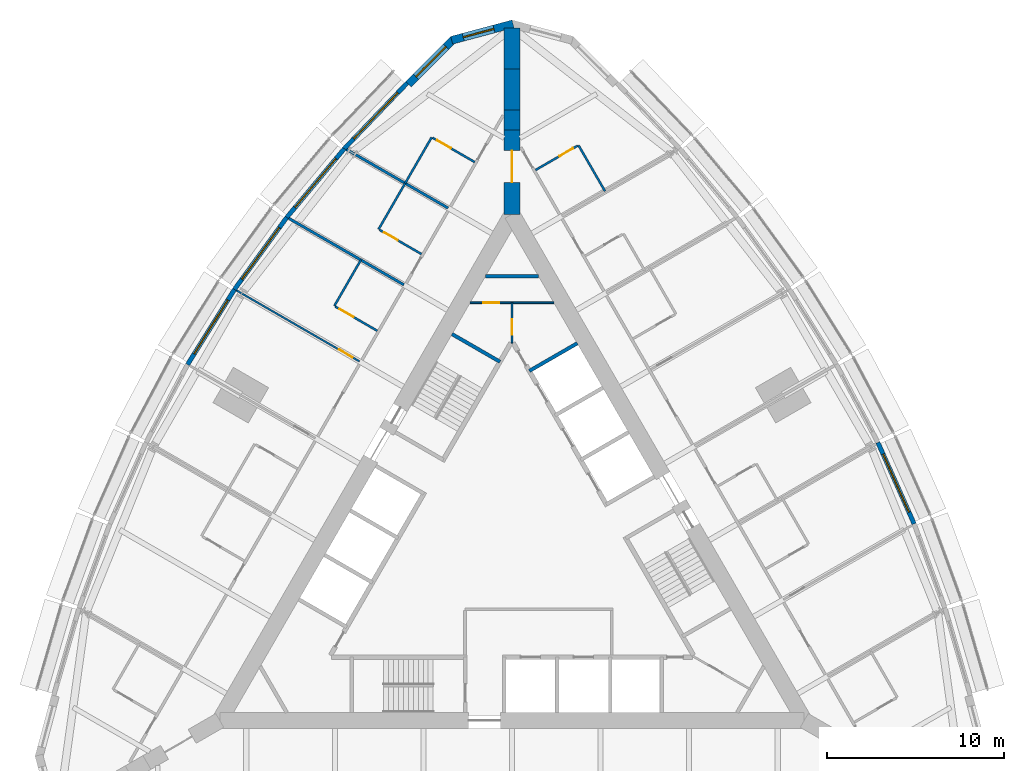
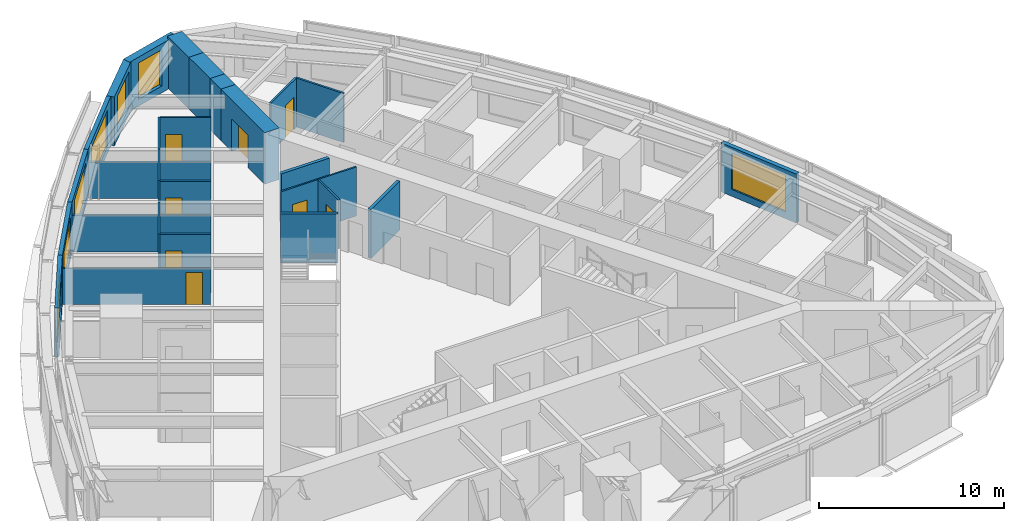
# One storey, part 12 of 14: 27 walls, 8 doors, 7 windows, 15 openings.
"""IFC4 building model written with IfcOpenShell, lengths in metres."""

from ifc_helpers import new_model, si_unit, direction, frame, frame_2d, origin, place, context, subcontext, project, spatial, polyline, rectangle, outline, extrude, material, layer, layer_set, type_object, element, fill, save


model = new_model("IFC4")

# Units and contexts
model_context = context("Model", 3, precision=1e-05, world=origin(), true_north=direction((0.0, 1.0)))
body_context = subcontext(model_context, "Body", "Model", "MODEL_VIEW")
ifc_project = project(units=[si_unit("LENGTHUNIT", "METRE"), si_unit("AREAUNIT", "SQUARE_METRE"), si_unit("VOLUMEUNIT", "CUBIC_METRE"), si_unit("PLANEANGLEUNIT", "RADIAN"), si_unit("MASSUNIT", "GRAM", prefix="KILO")], contexts=[model_context])

# Site, building, storey
site_placement = place(None, origin())
site = spatial("IfcSite", under=ifc_project, at=site_placement, CompositionType="ELEMENT")
building_placement = place(site_placement, origin())
building = spatial("IfcBuilding", under=site, at=building_placement, Name="Trikona Tower", CompositionType="ELEMENT")
storey_placement = place(building_placement, frame((0.0, 0.0, 148.699951171875)))
storey = spatial("IfcBuildingStorey", under=building, at=storey_placement, Name="L39", CompositionType="ELEMENT", Elevation=148.699951171875)

# Wall
ifc_material_1 = material(Name="Metal stud and cement board", Category="gypsum")
ifc_layer_1 = layer(ifc_material_1, 0.1201171875)
ifc_layer_set_1 = layer_set([ifc_layer_1], Name="Bathroom wall 120")
wall_type_1 = type_object("IfcWallType", Name="Bathroom wall 120", PredefinedType="PLUMBINGWALL", material=ifc_layer_set_1)
wall_1_placement = place(storey_placement, frame((5.25341796875, 20.353515625, 0.0), z_axis=(0.0, 0.0, 1.0), x_axis=(-0.499990139034, 0.866031096941, 0.0)))
element("IfcWall", 1, at=wall_1_placement, inside=storey, type_object=wall_type_1, Name="Bathroom wall 3912", PredefinedType="PLUMBINGWALL", context=body_context, shape_type="SweptSolid", body=[
    extrude(rectangle(XDim=3.0, YDim=0.1201171875, at=frame_2d((1.5, 0.0))), origin(), (0.0, 0.0, 1.0), 3.235107421875),
])

# Wall, opening, door
wall_2_placement = place(storey_placement, frame((1.32861328125, 21.551513671875, 0.0), z_axis=(0.0, 0.0, 1.0), x_axis=(0.865997131366, 0.500048966069, 0.0)))
wall_2 = element("IfcWall", 2, at=wall_2_placement, inside=storey, type_object=wall_type_1, Name="Bathroom wall 3912", PredefinedType="PLUMBINGWALL", context=body_context, shape_type="SweptSolid", body=[
    extrude(rectangle(XDim=2.739990234375, YDim=0.1201171875, at=frame_2d((1.3701171875, 0.0))), origin(), (0.0, 0.0, 1.0), 3.235107421875),
])
opening_1_placement = place(wall_2_placement, frame((1.550048828125, 0.0, 0.0)))
opening_1 = element("IfcOpeningElement", 3, at=opening_1_placement, cuts=wall_2, Name="Opening D2", PredefinedType="OPENING", context=body_context, shape_type="SweptSolid", body=[
    extrude(rectangle(XDim=0.89990234375, YDim=2.1298828125, at=frame_2d((0.449951171875, 1.06494140625))), frame((0.0, 0.070068359375, 0.0), z_axis=(0.0, -1.0, 0.0), x_axis=(1.0, 0.0, 0.0)), (0.0, 0.0, 1.0), 0.14013671875),
])
ifc_material_2 = material(Name="Steel door frame with solid-core timber leaf", Category="steel")
door_type_1 = type_object("IfcDoorType", Name="Bathroom door 900x2130", OperationType="SLIDING_TO_LEFT", PredefinedType="DOOR", material=ifc_material_2)
door_1_placement = place(opening_1_placement, origin())
door_1 = element("IfcDoor", 4, at=door_1_placement, inside=storey, type_object=door_type_1, Name="Bathroom door 3912", OperationType="SLIDING_TO_LEFT", OverallHeight=2.1298828125, OverallWidth=0.89990234375, PredefinedType="DOOR", context=body_context, shape_type="SweptSolid", body=[
    extrude(rectangle(XDim=0.89990234375, YDim=2.1298828125, at=frame_2d((0.449951171875, 1.06494140625))), frame((0.0, 0.02490234375, 0.0), z_axis=(0.0, -1.0, 0.0), x_axis=(1.0, 0.0, 0.0)), (0.0, 0.0, 1.0), 0.050048828125),
])
fill(opening_1, door_1)

# Wall
wall_3_placement = place(storey_placement, frame((-4.53271484375, 23.401611328125, 0.0), z_axis=(0.0, 0.0, 1.0), x_axis=(-0.499990139034, -0.866031096941, 0.0)))
element("IfcWall", 5, at=wall_3_placement, inside=storey, type_object=wall_type_1, Name="Bathroom wall 3913", PredefinedType="PLUMBINGWALL", context=body_context, shape_type="SweptSolid", body=[
    extrude(rectangle(XDim=3.0, YDim=0.1201171875, at=frame_2d((1.5, 0.0))), origin(), (0.0, 0.0, 1.0), 3.235107421875),
])

# Wall, opening, door
wall_4_placement = place(storey_placement, frame((-2.10791015625, 22.001708984375, 0.0), z_axis=(0.0, 0.0, 1.0), x_axis=(-0.866035715982, 0.499982138324, 0.0)))
wall_4 = element("IfcWall", 6, at=wall_4_placement, inside=storey, type_object=wall_type_1, Name="Bathroom wall 3913", PredefinedType="PLUMBINGWALL", context=body_context, shape_type="SweptSolid", body=[
    extrude(rectangle(XDim=2.73974609375, YDim=0.1201171875, at=frame_2d((1.369873046875, 0.0))), origin(), (0.0, 0.0, 1.0), 3.235107421875),
])
opening_2_placement = place(wall_4_placement, frame((1.550048828125, 0.0, 0.0)))
opening_2 = element("IfcOpeningElement", 7, at=opening_2_placement, cuts=wall_4, Name="Opening D2", PredefinedType="OPENING", context=body_context, shape_type="SweptSolid", body=[
    extrude(rectangle(XDim=0.89990234375, YDim=2.1298828125, at=frame_2d((0.449951171875, 1.06494140625))), frame((0.0, 0.070068359375, 0.0), z_axis=(0.0, -1.0, 0.0), x_axis=(1.0, 0.0, 0.0)), (0.0, 0.0, 1.0), 0.14013671875),
])
door_2_placement = place(opening_2_placement, origin())
door_2 = element("IfcDoor", 8, at=door_2_placement, inside=storey, type_object=door_type_1, Name="Bathroom door 3913", OperationType="SLIDING_TO_LEFT", OverallHeight=2.1298828125, OverallWidth=0.89990234375, PredefinedType="DOOR", context=body_context, shape_type="SweptSolid", body=[
    extrude(rectangle(XDim=0.89990234375, YDim=2.1298828125, at=frame_2d((0.449951171875, 1.06494140625))), frame((0.0, 0.02490234375, 0.0), z_axis=(0.0, -1.0, 0.0), x_axis=(1.0, 0.0, 0.0)), (0.0, 0.0, 1.0), 0.050048828125),
])
fill(opening_2, door_2)

# Wall
wall_5_placement = place(storey_placement, frame((-6.03271484375, 20.803466796875, 0.0), z_axis=(0.0, 0.0, 1.0), x_axis=(-0.499990139034, -0.866031096941, 0.0)))
element("IfcWall", 9, at=wall_5_placement, inside=storey, type_object=wall_type_1, Name="Bathroom wall 3914", PredefinedType="PLUMBINGWALL", context=body_context, shape_type="SweptSolid", body=[
    extrude(rectangle(XDim=3.0, YDim=0.1201171875, at=frame_2d((1.5, 0.0))), origin(), (0.0, 0.0, 1.0), 3.235107421875),
])

# Wall, opening, door
wall_6_placement = place(storey_placement, frame((-5.10791015625, 16.805419921875, 0.0), z_axis=(0.0, 0.0, 1.0), x_axis=(-0.866035715982, 0.499982138324, 0.0)))
wall_6 = element("IfcWall", 10, at=wall_6_placement, inside=storey, type_object=wall_type_1, Name="Bathroom wall 3914", PredefinedType="PLUMBINGWALL", context=body_context, shape_type="SweptSolid", body=[
    extrude(rectangle(XDim=2.73974609375, YDim=0.1201171875, at=frame_2d((1.369873046875, 0.0))), origin(), (0.0, 0.0, 1.0), 3.235107421875),
])
opening_3_placement = place(wall_6_placement, frame((1.550048828125, 0.0, 0.0)))
opening_3 = element("IfcOpeningElement", 11, at=opening_3_placement, cuts=wall_6, Name="Opening D2", PredefinedType="OPENING", context=body_context, shape_type="SweptSolid", body=[
    extrude(rectangle(XDim=0.89990234375, YDim=2.1298828125, at=frame_2d((0.449951171875, 1.06494140625))), frame((0.0, 0.070068359375, 0.0), z_axis=(0.0, -1.0, 0.0), x_axis=(1.0, 0.0, 0.0)), (0.0, 0.0, 1.0), 0.14013671875),
])
door_3_placement = place(opening_3_placement, origin())
door_3 = element("IfcDoor", 12, at=door_3_placement, inside=storey, type_object=door_type_1, Name="Bathroom door 3914", OperationType="SLIDING_TO_LEFT", OverallHeight=2.1298828125, OverallWidth=0.89990234375, PredefinedType="DOOR", context=body_context, shape_type="SweptSolid", body=[
    extrude(rectangle(XDim=0.89990234375, YDim=2.1298828125, at=frame_2d((0.449951171875, 1.06494140625))), frame((0.0, 0.02490234375, 0.0), z_axis=(0.0, -1.0, 0.0), x_axis=(1.0, 0.0, 0.0)), (0.0, 0.0, 1.0), 0.050048828125),
])
fill(opening_3, door_3)

# Wall
wall_7_placement = place(storey_placement, frame((-8.53271484375, 16.473388671875, 0.0), z_axis=(0.0, 0.0, 1.0), x_axis=(-0.499990139034, -0.866031096941, 0.0)))
element("IfcWall", 13, at=wall_7_placement, inside=storey, type_object=wall_type_1, Name="Bathroom wall 3915.1", PredefinedType="PLUMBINGWALL", context=body_context, shape_type="SweptSolid", body=[
    extrude(rectangle(XDim=3.0, YDim=0.1201171875, at=frame_2d((1.5, 0.0))), origin(), (0.0, 0.0, 1.0), 3.235107421875),
])

# Wall, opening, door
wall_8_placement = place(storey_placement, frame((-7.60791015625, 12.475341796875, 0.0), z_axis=(0.0, 0.0, 1.0), x_axis=(-0.866035715982, 0.499982138324, 0.0)))
wall_8 = element("IfcWall", 14, at=wall_8_placement, inside=storey, type_object=wall_type_1, Name="Bathroom wall 3915.1", PredefinedType="PLUMBINGWALL", context=body_context, shape_type="SweptSolid", body=[
    extrude(rectangle(XDim=2.73974609375, YDim=0.1201171875, at=frame_2d((1.369873046875, 0.0))), origin(), (0.0, 0.0, 1.0), 3.235107421875),
])
opening_4_placement = place(wall_8_placement, frame((1.550048828125, 0.0, 0.0)))
opening_4 = element("IfcOpeningElement", 15, at=opening_4_placement, cuts=wall_8, Name="Opening D2", PredefinedType="OPENING", context=body_context, shape_type="SweptSolid", body=[
    extrude(rectangle(XDim=0.89990234375, YDim=2.1298828125, at=frame_2d((0.449951171875, 1.06494140625))), frame((0.0, 0.070068359375, 0.0), z_axis=(0.0, -1.0, 0.0), x_axis=(1.0, 0.0, 0.0)), (0.0, 0.0, 1.0), 0.14013671875),
])
door_4_placement = place(opening_4_placement, origin())
door_4 = element("IfcDoor", 16, at=door_4_placement, inside=storey, type_object=door_type_1, Name="Bathroom door 3915.1", OperationType="SLIDING_TO_LEFT", OverallHeight=2.1298828125, OverallWidth=0.89990234375, PredefinedType="DOOR", context=body_context, shape_type="SweptSolid", body=[
    extrude(rectangle(XDim=0.89990234375, YDim=2.1298828125, at=frame_2d((0.449951171875, 1.06494140625))), frame((0.0, 0.02490234375, 0.0), z_axis=(0.0, -1.0, 0.0), x_axis=(1.0, 0.0, 0.0)), (0.0, 0.0, 1.0), 0.050048828125),
])
fill(opening_4, door_4)

# Wall, opening, window
ifc_material_3 = material(Name="Brick-faced precast concrete", Category="masonry")
ifc_layer_2 = layer(ifc_material_3, 0.449951171875)
ifc_layer_set_2 = layer_set([ifc_layer_2], Name="Brick-faced corner wall 450")
wall_type_2 = type_object("IfcWallType", Name="Brick-faced corner wall 450", PredefinedType="SOLIDWALL", material=ifc_layer_set_2)
wall_9_placement = place(storey_placement, frame((0.05810546875, 29.804931640625, 0.0), z_axis=(0.0, 0.0, 1.0), x_axis=(-0.965924653531, -0.258823421857, 0.0)))
wall_9 = element("IfcWall", 17, at=wall_9_placement, inside=storey, type_object=wall_type_2, Name="External wall L39-22", PredefinedType="SOLIDWALL", context=body_context, shape_type="SweptSolid", body=[
    extrude(outline(polyline([(3.58642578125, 0.22509765625), (0.58642578125, 0.22509765625), (0.551025390625, 0.09326171875), (0.0595703125, 0.22509765625), (0.0, 0.22509765625), (0.0, -0.22509765625), (3.58642578125, -0.22509765625), (3.58642578125, 0.22509765625)])), origin(), (0.0, 0.0, 1.0), 3.235107421875),
])
opening_5_placement = place(wall_9_placement, frame((1.111328125, 0.0, 0.449951171875)))
opening_5 = element("IfcOpeningElement", 18, at=opening_5_placement, cuts=wall_9, Name="Opening W1824", PredefinedType="OPENING", context=body_context, shape_type="SweptSolid", body=[
    extrude(rectangle(XDim=1.800048828125, YDim=2.39990234375, at=frame_2d((0.89990234375, 1.199951171875))), frame((0.0, 0.23486328125, 0.0), z_axis=(0.0, -1.0, 0.0), x_axis=(1.0, 0.0, 0.0)), (0.0, 0.0, 1.0), 0.469970703125),
])
ifc_material_4 = material(Name="Aluminium-framed double glazing", Category="aluminium")
window_type_1 = type_object("IfcWindowType", Name="Window 1800x2400", PartitioningType="SINGLE_PANEL", PredefinedType="WINDOW", material=ifc_material_4)
window_1_placement = place(opening_5_placement, origin())
window_1 = element("IfcWindow", 19, at=window_1_placement, inside=storey, type_object=window_type_1, Name="Window 3913", OverallHeight=2.39990234375, OverallWidth=1.800048828125, PartitioningType="SINGLE_PANEL", PredefinedType="WINDOW", context=body_context, shape_type="SweptSolid", body=[
    extrude(rectangle(XDim=1.800048828125, YDim=2.39990234375, at=frame_2d((0.89990234375, 1.199951171875))), frame((0.0, 0.030029296875, 0.0), z_axis=(0.0, -1.0, 0.0), x_axis=(1.0, 0.0, 0.0)), (0.0, 0.0, 1.0), 0.06005859375),
])
fill(opening_5, window_1)

wall_10_placement = place(storey_placement, frame((-3.304931640625, 28.934814453125, 0.0), z_axis=(0.0, 0.0, 1.0), x_axis=(-0.707106781187, -0.707106781187, 0.0)))
wall_10 = element("IfcWall", 20, at=wall_10_placement, inside=storey, type_object=wall_type_2, Name="External wall L39-23", PredefinedType="SOLIDWALL", context=body_context, shape_type="SweptSolid", body=[
    extrude(rectangle(XDim=3.586181640625, YDim=0.449951171875, at=frame_2d((1.79296875, 0.0))), origin(), (0.0, 0.0, 1.0), 3.235107421875),
])
opening_6_placement = place(wall_10_placement, frame((0.59326171875, 0.0, 0.449951171875)))
opening_6 = element("IfcOpeningElement", 21, at=opening_6_placement, cuts=wall_10, Name="Opening W2424", PredefinedType="OPENING", context=body_context, shape_type="SweptSolid", body=[
    extrude(rectangle(XDim=2.39990234375, YDim=2.39990234375, at=frame_2d((1.199951171875, 1.199951171875))), frame((0.0, 0.23486328125, 0.0), z_axis=(0.0, -1.0, 0.0), x_axis=(1.0, 0.0, 0.0)), (0.0, 0.0, 1.0), 0.469970703125),
])
ifc_material_5 = material(Name="Aluminium-framed double glazing", Category="aluminium")
window_type_2 = type_object("IfcWindowType", Name="Window 2400x2400", PartitioningType="SINGLE_PANEL", PredefinedType="WINDOW", material=ifc_material_5)
window_2_placement = place(opening_6_placement, origin())
window_2 = element("IfcWindow", 22, at=window_2_placement, inside=storey, type_object=window_type_2, Name="Window 3913", OverallHeight=2.39990234375, OverallWidth=2.39990234375, PartitioningType="SINGLE_PANEL", PredefinedType="WINDOW", context=body_context, shape_type="SweptSolid", body=[
    extrude(rectangle(XDim=2.39990234375, YDim=2.39990234375, at=frame_2d((1.199951171875, 1.199951171875))), frame((0.0, 0.030029296875, 0.0), z_axis=(0.0, -1.0, 0.0), x_axis=(1.0, 0.0, 0.0)), (0.0, 0.0, 1.0), 0.06005859375),
])
fill(opening_6, window_2)

# Wall, opening, door
ifc_material_6 = material(Name="Concrete f'c 10000 psi", Category="concrete")
ifc_layer_3 = layer(ifc_material_6, 0.89990234375)
ifc_layer_set_3 = layer_set([ifc_layer_3], Name="Buttress wall 900")
wall_type_3 = type_object("IfcWallType", Name="Buttress wall 900", PredefinedType="SHEAR", material=ifc_layer_set_3)
wall_11_placement = place(storey_placement, frame((0.0, 19.052490234375, 0.0), z_axis=(0.0, 0.0, 1.0), x_axis=(0.0, 1.0, 0.0)))
wall_11 = element("IfcWall", 23, at=wall_11_placement, inside=storey, type_object=wall_type_3, Name="Buttress wall 2", PredefinedType="SHEAR", context=body_context, shape_type="SweptSolid", body=[
    extrude(rectangle(XDim=4.74609375, YDim=0.89990234375, at=frame_2d((2.373046875, 0.0))), origin(), (0.0, 0.0, 1.0), 3.400146484375),
])
opening_7_placement = place(wall_11_placement, frame((1.800048828125, 0.0, 0.0)))
opening_7 = element("IfcOpeningElement", 24, at=opening_7_placement, cuts=wall_11, Name="Opening D10", PredefinedType="OPENING", context=body_context, shape_type="SweptSolid", body=[
    extrude(rectangle(XDim=1.800048828125, YDim=2.1298828125, at=frame_2d((0.89990234375, 1.06494140625))), frame((0.0, 0.4599609375, 0.0), z_axis=(0.0, -1.0, 0.0), x_axis=(1.0, 0.0, 0.0)), (0.0, 0.0, 1.0), 0.919921875),
])
ifc_material_7 = material(Name="Hollow metal door and frame", Category="steel")
door_type_2 = type_object("IfcDoorType", Name="Cross-corridor door pair 1800x2130", OperationType="DOUBLE_DOOR_DOUBLE_SWING", PredefinedType="DOOR", material=ifc_material_7)
door_5_placement = place(opening_7_placement, origin())
door_5 = element("IfcDoor", 25, at=door_5_placement, inside=storey, type_object=door_type_2, Name="Cross-corridor door 2", OperationType="DOUBLE_DOOR_DOUBLE_SWING", OverallHeight=2.1298828125, OverallWidth=1.800048828125, PredefinedType="DOOR", context=body_context, shape_type="SweptSolid", body=[
    extrude(rectangle(XDim=1.800048828125, YDim=2.1298828125, at=frame_2d((0.89990234375, 1.06494140625))), frame((0.0, 0.02490234375, 0.0), z_axis=(0.0, -1.0, 0.0), x_axis=(1.0, 0.0, 0.0)), (0.0, 0.0, 1.0), 0.050048828125),
])
fill(opening_7, door_5)

# Walls
wall_12_placement = place(storey_placement, frame((0.0, 23.798583984375, 0.0), z_axis=(0.0, 0.0, 1.0), x_axis=(0.0, 1.0, 0.0)))
element("IfcWall", 26, at=wall_12_placement, inside=storey, type_object=wall_type_3, Name="Buttress wall 2 part 2", PredefinedType="SHEAR", context=body_context, shape_type="SweptSolid", body=[
    extrude(rectangle(XDim=1.15478515625, YDim=0.89990234375, at=frame_2d((0.577392578125, 0.0))), origin(), (0.0, 0.0, 1.0), 3.400146484375),
])
wall_13_placement = place(storey_placement, frame((0.0, 24.953369140625, 0.0), z_axis=(0.0, 0.0, 1.0), x_axis=(0.0, 1.0, 0.0)))
element("IfcWall", 27, at=wall_13_placement, inside=storey, type_object=wall_type_3, Name="Buttress wall 2 part 3", PredefinedType="SHEAR", context=body_context, shape_type="SweptSolid", body=[
    extrude(rectangle(XDim=2.309326171875, YDim=0.89990234375, at=frame_2d((1.15478515625, 0.0))), origin(), (0.0, 0.0, 1.0), 3.400146484375),
])
wall_14_placement = place(storey_placement, frame((0.0, 27.2626953125, 0.0), z_axis=(0.0, 0.0, 1.0), x_axis=(0.0, 1.0, 0.0)))
element("IfcWall", 28, at=wall_14_placement, inside=storey, type_object=wall_type_3, Name="Buttress wall 2 part 4", PredefinedType="SHEAR", context=body_context, shape_type="SweptSolid", body=[
    extrude(rectangle(XDim=2.3095703125, YDim=0.89990234375, at=frame_2d((1.15478515625, 0.0))), origin(), (0.0, 0.0, 1.0), 3.400146484375),
])

# Wall, opening, window
ifc_material_8 = material(Name="Insulated precast concrete spandrel panel", Category="concrete")
ifc_layer_4 = layer(ifc_material_8, 0.25)
ifc_layer_set_4 = layer_set([ifc_layer_4], Name="Inner skin wall 250")
wall_type_4 = type_object("IfcWallType", Name="Inner skin wall 250", PredefinedType="STANDARD", material=ifc_layer_set_4)
wall_15_placement = place(storey_placement, frame((22.70458984375, 1.576416015625, 0.0), z_axis=(0.0, 0.0, 1.0), x_axis=(-0.406832200364, 0.913502906808, 0.0)))
wall_15 = element("IfcWall", 29, at=wall_15_placement, inside=storey, type_object=wall_type_4, Name="External wall L39-14", PredefinedType="STANDARD", context=body_context, shape_type="SweptSolid", body=[
    extrude(rectangle(XDim=5.027587890625, YDim=0.25, at=frame_2d((2.513671875, 0.0))), origin(), (0.0, 0.0, 1.0), 3.235107421875),
])
opening_8_placement = place(wall_15_placement, frame((0.713623046875, 0.0, 0.449951171875)))
opening_8 = element("IfcOpeningElement", 30, at=opening_8_placement, cuts=wall_15, Name="Opening W3624", PredefinedType="OPENING", context=body_context, shape_type="SweptSolid", body=[
    extrude(rectangle(XDim=3.60009765625, YDim=2.39990234375, at=frame_2d((1.800048828125, 1.199951171875))), frame((0.0, 0.135009765625, 0.0), z_axis=(0.0, -1.0, 0.0), x_axis=(1.0, 0.0, 0.0)), (0.0, 0.0, 1.0), 0.27001953125),
])
ifc_material_9 = material(Name="Aluminium-framed double glazing", Category="aluminium")
window_type_3 = type_object("IfcWindowType", Name="Window 3600x2400", PartitioningType="SINGLE_PANEL", PredefinedType="WINDOW", material=ifc_material_9)
window_3_placement = place(opening_8_placement, origin())
window_3 = element("IfcWindow", 31, at=window_3_placement, inside=storey, type_object=window_type_3, Name="Window 3908.1", OverallHeight=2.39990234375, OverallWidth=3.60009765625, PartitioningType="SINGLE_PANEL", PredefinedType="WINDOW", context=body_context, shape_type="SweptSolid", body=[
    extrude(rectangle(XDim=3.60009765625, YDim=2.39990234375, at=frame_2d((1.800048828125, 1.199951171875))), frame((0.0, 0.030029296875, 0.0), z_axis=(0.0, -1.0, 0.0), x_axis=(1.0, 0.0, 0.0)), (0.0, 0.0, 1.0), 0.06005859375),
])
fill(opening_8, window_3)

wall_16_placement = place(storey_placement, frame((-5.90966796875, 26.4716796875, 0.0), z_axis=(0.0, 0.0, 1.0), x_axis=(-0.691719937936, -0.722165858693, 0.0)))
wall_16 = element("IfcWall", 32, at=wall_16_placement, inside=storey, type_object=wall_type_4, Name="External wall L39-24", PredefinedType="STANDARD", context=body_context, shape_type="SweptSolid", body=[
    extrude(rectangle(XDim=5.148193359375, YDim=0.25, at=frame_2d((2.57421875, 0.0))), origin(), (0.0, 0.0, 1.0), 3.235107421875),
])
opening_9_placement = place(wall_16_placement, frame((0.77392578125, 0.0, 0.449951171875)))
opening_9 = element("IfcOpeningElement", 33, at=opening_9_placement, cuts=wall_16, Name="Opening W3624", PredefinedType="OPENING", context=body_context, shape_type="SweptSolid", body=[
    extrude(rectangle(XDim=3.60009765625, YDim=2.39990234375, at=frame_2d((1.800048828125, 1.199951171875))), frame((0.0, 0.135009765625, 0.0), z_axis=(0.0, -1.0, 0.0), x_axis=(1.0, 0.0, 0.0)), (0.0, 0.0, 1.0), 0.27001953125),
])
window_4_placement = place(opening_9_placement, origin())
window_4 = element("IfcWindow", 34, at=window_4_placement, inside=storey, type_object=window_type_3, Name="Window 3913", OverallHeight=2.39990234375, OverallWidth=3.60009765625, PartitioningType="SINGLE_PANEL", PredefinedType="WINDOW", context=body_context, shape_type="SweptSolid", body=[
    extrude(rectangle(XDim=3.60009765625, YDim=2.39990234375, at=frame_2d((1.800048828125, 1.199951171875))), frame((0.0, 0.030029296875, 0.0), z_axis=(0.0, -1.0, 0.0), x_axis=(1.0, 0.0, 0.0)), (0.0, 0.0, 1.0), 0.06005859375),
])
fill(opening_9, window_4)

wall_17_placement = place(storey_placement, frame((-9.465087890625, 22.76025390625, 0.0), z_axis=(0.0, 0.0, 1.0), x_axis=(-0.641810386606, -0.766863369607, 0.0)))
wall_17 = element("IfcWall", 35, at=wall_17_placement, inside=storey, type_object=wall_type_4, Name="External wall L39-25", PredefinedType="STANDARD", context=body_context, shape_type="SweptSolid", body=[
    extrude(rectangle(XDim=5.075927734375, YDim=0.25, at=frame_2d((2.5380859375, 0.0))), origin(), (0.0, 0.0, 1.0), 3.235107421875),
])
opening_10_placement = place(wall_17_placement, frame((0.738037109375, 0.0, 0.449951171875)))
opening_10 = element("IfcOpeningElement", 36, at=opening_10_placement, cuts=wall_17, Name="Opening W3624", PredefinedType="OPENING", context=body_context, shape_type="SweptSolid", body=[
    extrude(rectangle(XDim=3.60009765625, YDim=2.39990234375, at=frame_2d((1.800048828125, 1.199951171875))), frame((0.0, 0.135009765625, 0.0), z_axis=(0.0, -1.0, 0.0), x_axis=(1.0, 0.0, 0.0)), (0.0, 0.0, 1.0), 0.27001953125),
])
window_5_placement = place(opening_10_placement, origin())
window_5 = element("IfcWindow", 37, at=window_5_placement, inside=storey, type_object=window_type_3, Name="Window 3914", OverallHeight=2.39990234375, OverallWidth=3.60009765625, PartitioningType="SINGLE_PANEL", PredefinedType="WINDOW", context=body_context, shape_type="SweptSolid", body=[
    extrude(rectangle(XDim=3.60009765625, YDim=2.39990234375, at=frame_2d((1.800048828125, 1.199951171875))), frame((0.0, 0.030029296875, 0.0), z_axis=(0.0, -1.0, 0.0), x_axis=(1.0, 0.0, 0.0)), (0.0, 0.0, 1.0), 0.06005859375),
])
fill(opening_10, window_5)

wall_18_placement = place(storey_placement, frame((-12.717529296875, 18.87451171875, 0.0), z_axis=(0.0, 0.0, 1.0), x_axis=(-0.587669188412, -0.809101307001, 0.0)))
wall_18 = element("IfcWall", 38, at=wall_18_placement, inside=storey, type_object=wall_type_4, Name="External wall L39-26", PredefinedType="STANDARD", context=body_context, shape_type="SweptSolid", body=[
    extrude(rectangle(XDim=5.027587890625, YDim=0.25, at=frame_2d((2.513671875, 0.0))), origin(), (0.0, 0.0, 1.0), 3.235107421875),
])
opening_11_placement = place(wall_18_placement, frame((0.7138671875, 0.0, 0.449951171875)))
opening_11 = element("IfcOpeningElement", 39, at=opening_11_placement, cuts=wall_18, Name="Opening W3624", PredefinedType="OPENING", context=body_context, shape_type="SweptSolid", body=[
    extrude(rectangle(XDim=3.60009765625, YDim=2.39990234375, at=frame_2d((1.800048828125, 1.199951171875))), frame((0.0, 0.135009765625, 0.0), z_axis=(0.0, -1.0, 0.0), x_axis=(1.0, 0.0, 0.0)), (0.0, 0.0, 1.0), 0.27001953125),
])
window_6_placement = place(opening_11_placement, origin())
window_6 = element("IfcWindow", 40, at=window_6_placement, inside=storey, type_object=window_type_3, Name="Window 3915.1", OverallHeight=2.39990234375, OverallWidth=3.60009765625, PartitioningType="SINGLE_PANEL", PredefinedType="WINDOW", context=body_context, shape_type="SweptSolid", body=[
    extrude(rectangle(XDim=3.60009765625, YDim=2.39990234375, at=frame_2d((1.800048828125, 1.199951171875))), frame((0.0, 0.030029296875, 0.0), z_axis=(0.0, -1.0, 0.0), x_axis=(1.0, 0.0, 0.0)), (0.0, 0.0, 1.0), 0.06005859375),
])
fill(opening_11, window_6)

wall_19_placement = place(storey_placement, frame((-15.667236328125, 14.81396484375, 0.0), z_axis=(0.0, 0.0, 1.0), x_axis=(-0.529990167382, -0.84800378683, 0.0)))
wall_19 = element("IfcWall", 41, at=wall_19_placement, inside=storey, type_object=wall_type_4, Name="External wall L39-27", PredefinedType="STANDARD", context=body_context, shape_type="SweptSolid", body=[
    extrude(rectangle(XDim=5.003173828125, YDim=0.25, at=frame_2d((2.50146484375, 0.0))), origin(), (0.0, 0.0, 1.0), 3.235107421875),
])
opening_12_placement = place(wall_19_placement, frame((0.701416015625, 0.0, 0.449951171875)))
opening_12 = element("IfcOpeningElement", 42, at=opening_12_placement, cuts=wall_19, Name="Opening W3624", PredefinedType="OPENING", context=body_context, shape_type="SweptSolid", body=[
    extrude(rectangle(XDim=3.60009765625, YDim=2.39990234375, at=frame_2d((1.800048828125, 1.199951171875))), frame((0.0, 0.135009765625, 0.0), z_axis=(0.0, -1.0, 0.0), x_axis=(1.0, 0.0, 0.0)), (0.0, 0.0, 1.0), 0.27001953125),
])
window_7_placement = place(opening_12_placement, origin())
window_7 = element("IfcWindow", 43, at=window_7_placement, inside=storey, type_object=window_type_3, Name="Window 3915", OverallHeight=2.39990234375, OverallWidth=3.60009765625, PartitioningType="SINGLE_PANEL", PredefinedType="WINDOW", context=body_context, shape_type="SweptSolid", body=[
    extrude(rectangle(XDim=3.60009765625, YDim=2.39990234375, at=frame_2d((1.800048828125, 1.199951171875))), frame((0.0, 0.030029296875, 0.0), z_axis=(0.0, -1.0, 0.0), x_axis=(1.0, 0.0, 0.0)), (0.0, 0.0, 1.0), 0.06005859375),
])
fill(opening_12, window_7)

# Walls
ifc_material_10 = material(Name="Metal stud and gypsum board, 1-hour acoustic", Category="gypsum")
ifc_layer_5 = layer(ifc_material_10, 0.14990234375)
ifc_layer_set_5 = layer_set([ifc_layer_5], Name="Party wall 150")
wall_type_5 = type_object("IfcWallType", Name="Party wall 150", PredefinedType="PARTITIONING", material=ifc_layer_set_5)
wall_20_placement = place(storey_placement, frame((-3.60791015625, 19.403564453125, 0.0), z_axis=(0.0, 0.0, 1.0), x_axis=(-0.866015989873, 0.500016305018, 0.0)))
element("IfcWall", 44, at=wall_20_placement, inside=storey, type_object=wall_type_5, Name="Partition L39 F3 u-15", PredefinedType="PARTITIONING", context=body_context, shape_type="SweptSolid", body=[
    extrude(rectangle(XDim=6.616455078125, YDim=0.14990234375, at=frame_2d((3.30810546875, 0.0))), origin(), (0.0, 0.0, 1.0), 2.38916015625),
])
wall_21_placement = place(storey_placement, frame((-6.10791015625, 15.073486328125, 0.0), z_axis=(0.0, 0.0, 1.0), x_axis=(-0.866025567496, 0.499999716443, 0.0)))
element("IfcWall", 45, at=wall_21_placement, inside=storey, type_object=wall_type_5, Name="Partition L39 F3 u-10", PredefinedType="PARTITIONING", context=body_context, shape_type="SweptSolid", body=[
    extrude(rectangle(XDim=7.4951171875, YDim=0.14990234375, at=frame_2d((3.74755859375, 0.0))), origin(), (0.0, 0.0, 1.0), 2.38916015625),
])
ifc_material_11 = material(Name="Concrete f'c 8000 psi", Category="concrete")
ifc_layer_6 = layer(ifc_material_11, 0.199951171875)
ifc_layer_set_6 = layer_set([ifc_layer_6], Name="Shaft wall 200")
wall_type_6 = type_object("IfcWallType", Name="Shaft wall 200", PredefinedType="SOLIDWALL", material=ifc_layer_set_6)
wall_22_placement = place(storey_placement, frame((0.97900390625, 10.20703125, 0.0), z_axis=(0.0, 0.0, 1.0), x_axis=(0.866022959057, 0.500004234368, 0.0)))
element("IfcWall", 46, at=wall_22_placement, inside=storey, type_object=wall_type_6, Name="Shaft wall B6", PredefinedType="SOLIDWALL", context=body_context, shape_type="SweptSolid", body=[
    extrude(rectangle(XDim=3.125, YDim=0.199951171875, at=frame_2d((1.5625, 0.0))), origin(), (0.0, 0.0, 1.0), 3.235107421875),
])
wall_23_placement = place(storey_placement, frame((-1.501220703125, 15.552490234375, 0.0), z_axis=(0.0, 0.0, 1.0), x_axis=(1.0, 0.0, 0.0)))
element("IfcWall", 47, at=wall_23_placement, inside=storey, type_object=wall_type_6, Name="Riser wall L39-RS2", PredefinedType="SOLIDWALL", context=body_context, shape_type="SweptSolid", body=[
    extrude(rectangle(XDim=3.00244140625, YDim=0.199951171875, at=frame_2d((1.501220703125, 0.0))), origin(), (0.0, 0.0, 1.0), 3.235107421875),
])
ifc_material_12 = material(Name="Concrete f'c 8000 psi", Category="concrete")
ifc_layer_7 = layer(ifc_material_12, 0.199951171875)
ifc_layer_set_7 = layer_set([ifc_layer_7], Name="Shaft wall 200 load-bearing")
wall_type_7 = type_object("IfcWallType", Name="Shaft wall 200 load-bearing", PredefinedType="SOLIDWALL", material=ifc_layer_set_7)
wall_24_placement = place(storey_placement, frame((-0.678955078125, 10.7265625, 0.0), z_axis=(0.0, 0.0, 1.0), x_axis=(-0.866022959057, 0.500004234368, 0.0)))
element("IfcWall", 48, at=wall_24_placement, inside=storey, type_object=wall_type_7, Name="Shaft wall C1", PredefinedType="SOLIDWALL", context=body_context, shape_type="SweptSolid", body=[
    extrude(rectangle(XDim=3.125, YDim=0.199951171875, at=frame_2d((1.5625, 0.0))), origin(), (0.0, 0.0, 1.0), 3.235107421875),
])

# Wall, opening, door
ifc_material_13 = material(Name="Metal stud and gypsum board, acoustic", Category="gypsum")
ifc_layer_8 = layer(ifc_material_13, 0.10009765625)
ifc_layer_set_8 = layer_set([ifc_layer_8], Name="Suite partition 100")
wall_type_8 = type_object("IfcWallType", Name="Suite partition 100", PredefinedType="PARTITIONING", material=ifc_layer_set_8)
wall_25_placement = place(storey_placement, frame((-8.60791015625, 10.743408203125, 0.0), z_axis=(0.0, 0.0, 1.0), x_axis=(-0.866041663918, 0.499971835565, 0.0)))
wall_25 = element("IfcWall", 49, at=wall_25_placement, inside=storey, type_object=wall_type_8, Name="Suite partition L39 F3 u-5", PredefinedType="PARTITIONING", context=body_context, shape_type="SweptSolid", body=[
    extrude(rectangle(XDim=8.0224609375, YDim=0.10009765625, at=frame_2d((4.01123046875, 0.0))), origin(), (0.0, 0.0, 1.0), 2.38916015625),
])
opening_13_placement = place(wall_25_placement, frame((0.449951171875, 0.0, 0.0)))
opening_13 = element("IfcOpeningElement", 50, at=opening_13_placement, cuts=wall_25, Name="Opening D13", PredefinedType="OPENING", context=body_context, shape_type="SweptSolid", body=[
    extrude(rectangle(XDim=0.89990234375, YDim=2.1298828125, at=frame_2d((0.449951171875, 1.06494140625))), frame((0.0, 0.06005859375, 0.0), z_axis=(0.0, -1.0, 0.0), x_axis=(1.0, 0.0, 0.0)), (0.0, 0.0, 1.0), 0.1201171875),
])
ifc_material_14 = material(Name="Steel door frame with solid-core timber leaf", Category="steel")
door_type_3 = type_object("IfcDoorType", Name="Suite door 900x2130", OperationType="SINGLE_SWING_LEFT", PredefinedType="DOOR", material=ifc_material_14)
door_6_placement = place(opening_13_placement, origin())
door_6 = element("IfcDoor", 51, at=door_6_placement, inside=storey, type_object=door_type_3, Name="Suite door 3915", OperationType="SINGLE_SWING_LEFT", OverallHeight=2.1298828125, OverallWidth=0.89990234375, PredefinedType="DOOR", context=body_context, shape_type="SweptSolid", body=[
    extrude(rectangle(XDim=0.89990234375, YDim=2.1298828125, at=frame_2d((0.449951171875, 1.06494140625))), frame((0.0, 0.02490234375, 0.0), z_axis=(0.0, -1.0, 0.0), x_axis=(1.0, 0.0, 0.0)), (0.0, 0.0, 1.0), 0.050048828125),
])
fill(opening_13, door_6)

wall_26_placement = place(storey_placement, frame((-2.3671875, 14.052490234375, 0.0), z_axis=(0.0, 0.0, 1.0), x_axis=(1.0, 0.0, 0.0)))
wall_26 = element("IfcWall", 52, at=wall_26_placement, inside=storey, type_object=wall_type_8, Name="Store partition L39-RS2", PredefinedType="PARTITIONING", context=body_context, shape_type="SweptSolid", body=[
    extrude(rectangle(XDim=4.734375, YDim=0.10009765625, at=frame_2d((2.3671875, 0.0))), origin(), (0.0, 0.0, 1.0), 3.235107421875),
])
opening_14_placement = place(wall_26_placement, frame((0.733642578125, 0.0, 0.0)))
opening_14 = element("IfcOpeningElement", 53, at=opening_14_placement, cuts=wall_26, Name="Opening D15", PredefinedType="OPENING", context=body_context, shape_type="SweptSolid", body=[
    extrude(rectangle(XDim=0.89990234375, YDim=2.1298828125, at=frame_2d((0.449951171875, 1.06494140625))), frame((0.0, 0.06005859375, 0.0), z_axis=(0.0, -1.0, 0.0), x_axis=(1.0, 0.0, 0.0)), (0.0, 0.0, 1.0), 0.1201171875),
])
ifc_material_15 = material(Name="Steel door frame with solid-core timber leaf", Category="steel")
door_type_4 = type_object("IfcDoorType", Name="Store door 900x2130", OperationType="SINGLE_SWING_LEFT", PredefinedType="DOOR", material=ifc_material_15)
door_7_placement = place(opening_14_placement, origin())
door_7 = element("IfcDoor", 54, at=door_7_placement, inside=storey, type_object=door_type_4, Name="Door Amenity store AMS", OperationType="SINGLE_SWING_LEFT", OverallHeight=2.1298828125, OverallWidth=0.89990234375, PredefinedType="DOOR", context=body_context, shape_type="SweptSolid", body=[
    extrude(rectangle(XDim=0.89990234375, YDim=2.1298828125, at=frame_2d((0.449951171875, 1.06494140625))), frame((0.0, 0.02490234375, 0.0), z_axis=(0.0, -1.0, 0.0), x_axis=(1.0, 0.0, 0.0)), (0.0, 0.0, 1.0), 0.050048828125),
])
fill(opening_14, door_7)

wall_27_placement = place(storey_placement, frame((0.0, 14.052490234375, 0.0), z_axis=(0.0, 0.0, 1.0), x_axis=(0.0, -1.0, 0.0)))
wall_27 = element("IfcWall", 55, at=wall_27_placement, inside=storey, type_object=wall_type_8, Name="Store partition L39-RS2", PredefinedType="PARTITIONING", context=body_context, shape_type="SweptSolid", body=[
    extrude(rectangle(XDim=2.275146484375, YDim=0.10009765625, at=frame_2d((1.1376953125, 0.0))), origin(), (0.0, 0.0, 1.0), 3.235107421875),
])
opening_15_placement = place(wall_27_placement, frame((0.9150390625, 0.0, 0.0)))
opening_15 = element("IfcOpeningElement", 56, at=opening_15_placement, cuts=wall_27, Name="Opening D15", PredefinedType="OPENING", context=body_context, shape_type="SweptSolid", body=[
    extrude(rectangle(XDim=0.89990234375, YDim=2.1298828125, at=frame_2d((0.449951171875, 1.06494140625))), frame((0.0, 0.06005859375, 0.0), z_axis=(0.0, -1.0, 0.0), x_axis=(1.0, 0.0, 0.0)), (0.0, 0.0, 1.0), 0.1201171875),
])
door_8_placement = place(opening_15_placement, origin())
door_8 = element("IfcDoor", 57, at=door_8_placement, inside=storey, type_object=door_type_4, Name="Door Luggage store LUG", OperationType="SINGLE_SWING_RIGHT", OverallHeight=2.1298828125, OverallWidth=0.89990234375, PredefinedType="DOOR", context=body_context, shape_type="SweptSolid", body=[
    extrude(rectangle(XDim=0.89990234375, YDim=2.1298828125, at=frame_2d((0.449951171875, 1.06494140625))), frame((0.0, 0.02490234375, 0.0), z_axis=(0.0, -1.0, 0.0), x_axis=(1.0, 0.0, 0.0)), (0.0, 0.0, 1.0), 0.050048828125),
])
fill(opening_15, door_8)

save(model, "model.ifc")
